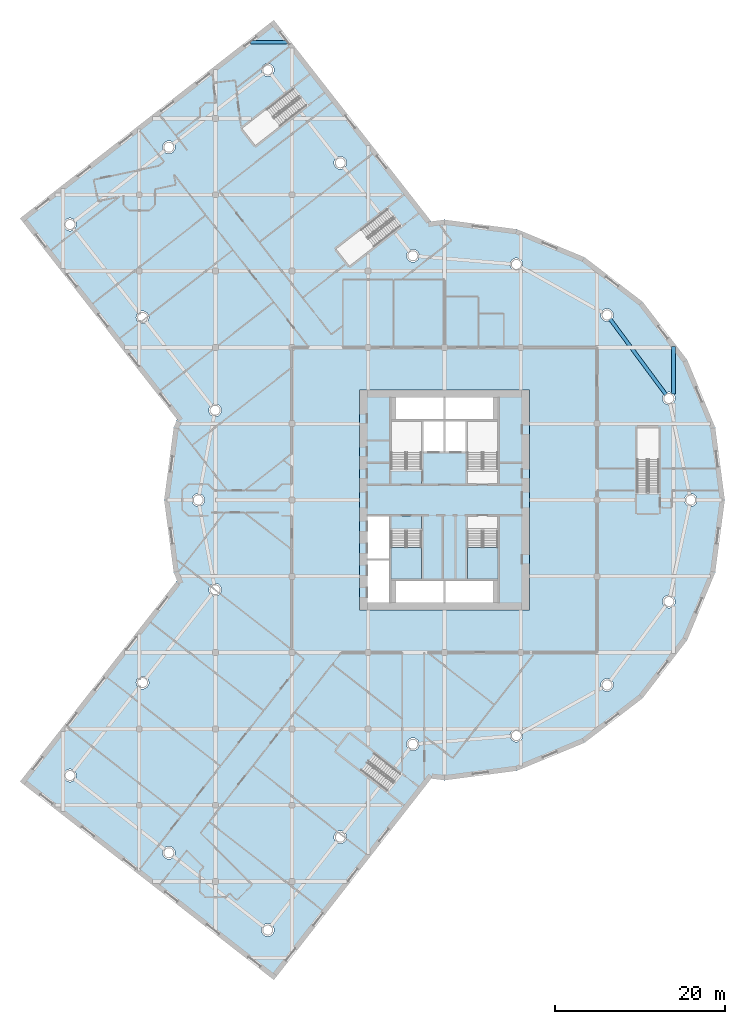
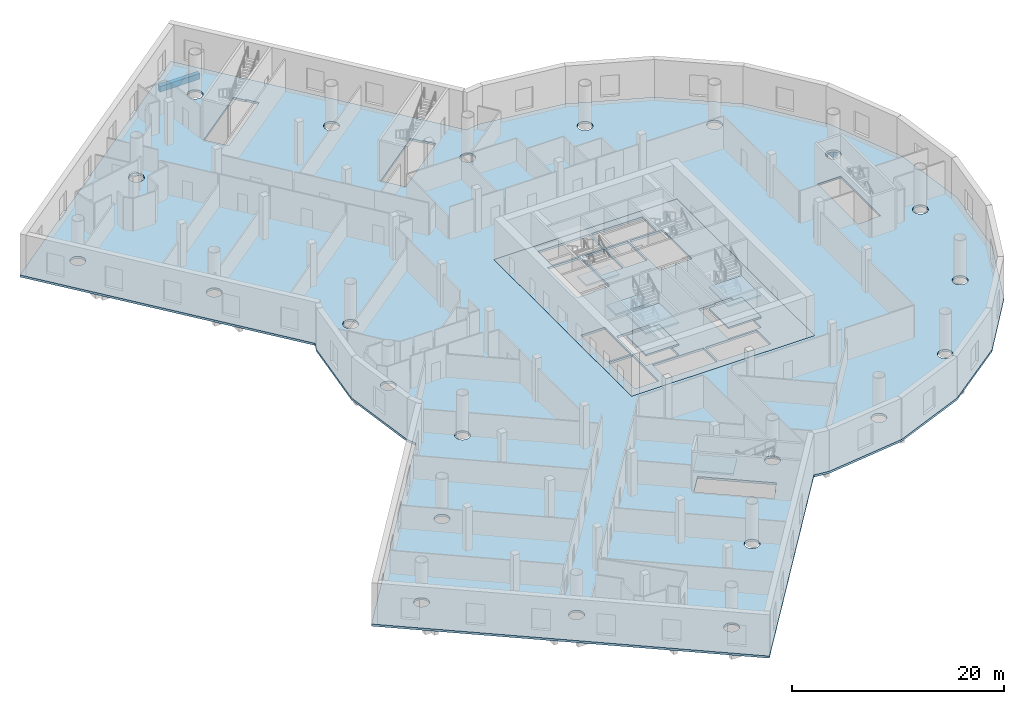
# One storey, part 3 of 22: 9 slabs, 3 beams, 4 elements without a shape of their own.
"""IFC4 building model written with IfcOpenShell, lengths in metres."""

from ifc_helpers import new_model, si_unit, direction, frame, origin, origin_2d, place, context, subcontext, project, spatial, polyline, rectangle, i_section, outline, extrude, material, layer, layer_set, material_profile, profile_set, type_object, element, aggregate, save


model = new_model("IFC4")

# Units and contexts
model_context = context("Model", 3, precision=1e-05, world=origin(), true_north=direction((0.0, 1.0)))
body_context = subcontext(model_context, "Body", "Model", "MODEL_VIEW")
ifc_project = project(units=[si_unit("LENGTHUNIT", "METRE"), si_unit("AREAUNIT", "SQUARE_METRE"), si_unit("VOLUMEUNIT", "CUBIC_METRE"), si_unit("PLANEANGLEUNIT", "RADIAN"), si_unit("MASSUNIT", "GRAM", prefix="KILO")], contexts=[model_context])

# Site, building, storey
site_placement = place(None, origin())
site = spatial("IfcSite", under=ifc_project, at=site_placement, CompositionType="ELEMENT")
building_placement = place(site_placement, origin())
building = spatial("IfcBuilding", under=site, at=building_placement, Name="Tarsis Ring Headquarters", CompositionType="ELEMENT")
storey_placement = place(building_placement, frame((0.0, 0.0, 25.0)))
storey = spatial("IfcBuildingStorey", under=building, at=storey_placement, Name="L04", CompositionType="ELEMENT", Elevation=25.0)

# Beams
ifc_material_1 = material(Name="Concrete C40/50", Category="concrete")
ifc_material_profile_1 = material_profile(ifc_material_1, rectangle(XDim=0.449951171875, YDim=0.64990234375, at=origin_2d()), Name="PO-B450")
ifc_profile_set_1 = profile_set([ifc_material_profile_1], Name="Concrete C40/50")
beam_type_1 = type_object("IfcBeamType", Name="PO-B450", PredefinedType="BEAM", material=ifc_profile_set_1)
beam_1_placement = place(storey_placement, frame((27.0, 12.4990234375, -0.574951171875), z_axis=(0.0, 1.0, 0.0), x_axis=(-1.0, 0.0, 0.0)))
element("IfcBeam", 1, at=beam_1_placement, inside=storey, type_object=beam_type_1, Name="L04 floor beam 58", PredefinedType="BEAM", context=body_context, shape_type="SweptSolid", body=[
    extrude(rectangle(XDim=0.449951171875, YDim=0.64990234375, at=origin_2d()), origin(), (0.0, 0.0, 1.0), 5.58203125),
])
beam_2_placement = place(storey_placement, frame((-22.89794921875, 54.0, -0.574951171875), z_axis=(1.0, 0.0, 0.0), x_axis=(0.0, 1.0, 0.0)))
element("IfcBeam", 2, at=beam_2_placement, inside=storey, type_object=beam_type_1, Name="L04 floor beam 111", PredefinedType="BEAM", context=body_context, shape_type="SweptSolid", body=[
    extrude(rectangle(XDim=0.449951171875, YDim=0.64990234375, at=origin_2d()), origin(), (0.0, 0.0, 1.0), 4.375732421875),
])
ifc_material_2 = material(Name="Structural steel S355", Category="steel")
ifc_material_profile_2 = material_profile(ifc_material_2, i_section(OverallWidth=0.42431640625, OverallDepth=0.947509765625, WebThickness=0.02392578125, FlangeThickness=0.042724609375, at=origin_2d()), Name="W36x302")
ifc_profile_set_2 = profile_set([ifc_material_profile_2], Name="Structural steel S355")
beam_type_2 = type_object("IfcBeamType", Name="XG Ring girder W36x302", PredefinedType="BEAM", material=ifc_profile_set_2)
beam_3_placement = place(storey_placement, frame((26.1396484375, 12.41455078125, -0.7236328125), z_axis=(-0.595024911632, 0.80370725674, 0.0), x_axis=(-0.80370725674, -0.595024911632, 0.0)))
element("IfcBeam", 3, at=beam_3_placement, inside=storey, type_object=beam_type_2, Name="Ring girder XG1", PredefinedType="BEAM", context=body_context, shape_type="SweptSolid", body=[
    extrude(i_section(OverallWidth=0.42431640625, OverallDepth=0.947509765625, WebThickness=0.02392578125, FlangeThickness=0.042724609375, at=origin_2d()), origin(), (0.0, 0.0, 1.0), 11.151611328125),
])

# Slab
ifc_layer_1 = layer(ifc_material_1, 0.25)
ifc_layer_set_1 = layer_set([ifc_layer_1], Name="Core floor slab 250 C40/50")
slab_type_1 = type_object("IfcSlabType", Name="Core floor slab 250 C40/50", PredefinedType="FLOOR", material=ifc_layer_set_1)
slab_1_placement = place(storey_placement, frame((0.0, 0.0, -0.25)))
element("IfcSlab", 4, at=slab_1_placement, inside=storey, type_object=slab_type_1, Name="L04 core floor slab", PredefinedType="FLOOR", context=body_context, shape_type="SweptSolid", body=[
    extrude(outline(polyline([(-10.0, -13.0), (10.0, -13.0), (10.0, 13.0), (-10.0, 13.0), (-10.0, -13.0)]), holes=[polyline([(-2.5, 5.699951171875), (-0.10009765625, 5.699951171875), (-0.10009765625, 9.300048828125), (-2.5, 9.300048828125), (-2.5, 5.699951171875)]), polyline([(0.10009765625, 5.699951171875), (2.5, 5.699951171875), (2.5, 9.300048828125), (0.10009765625, 9.300048828125), (0.10009765625, 5.699951171875)]), polyline([(-9.10009765625, -12.10009765625), (-6.5, -12.10009765625), (-6.5, -7.10009765625), (-9.10009765625, -7.10009765625), (-9.10009765625, -12.10009765625)]), polyline([(-9.10009765625, -6.89990234375), (-6.5, -6.89990234375), (-6.5, -1.89990234375), (-9.10009765625, -1.89990234375), (-9.10009765625, -6.89990234375)]), polyline([(-5.699951171875, 9.5), (-0.10009765625, 9.5), (-0.10009765625, 12.10009765625), (-5.699951171875, 12.10009765625), (-5.699951171875, 9.5)]), polyline([(0.10009765625, 9.5), (5.699951171875, 9.5), (5.699951171875, 12.10009765625), (0.10009765625, 12.10009765625), (0.10009765625, 9.5)]), polyline([(-5.699951171875, -12.10009765625), (-0.10009765625, -12.10009765625), (-0.10009765625, -9.5), (-5.699951171875, -9.5), (-5.699951171875, -12.10009765625)]), polyline([(0.10009765625, -12.10009765625), (5.699951171875, -12.10009765625), (5.699951171875, -9.5), (0.10009765625, -9.5), (0.10009765625, -12.10009765625)]), polyline([(-2.699951171875, 3.760009765625), (-2.699951171875, 9.300048828125), (-6.300048828125, 9.300048828125), (-6.300048828125, 3.659912109375), (-4.4599609375, 3.659912109375), (-4.4599609375, 3.760009765625), (-2.699951171875, 3.760009765625)]), polyline([(6.300048828125, 3.760009765625), (6.300048828125, 9.300048828125), (2.699951171875, 9.300048828125), (2.699951171875, 3.659912109375), (4.5400390625, 3.659912109375), (4.5400390625, 3.760009765625), (6.300048828125, 3.760009765625)]), polyline([(-6.300048828125, -3.760009765625), (-6.300048828125, -9.300048828125), (-2.699951171875, -9.300048828125), (-2.699951171875, -3.659912109375), (-4.5400390625, -3.659912109375), (-4.5400390625, -3.760009765625), (-6.300048828125, -3.760009765625)]), polyline([(2.699951171875, -3.760009765625), (2.699951171875, -9.300048828125), (6.300048828125, -9.300048828125), (6.300048828125, -3.659912109375), (4.4599609375, -3.659912109375), (4.4599609375, -3.760009765625), (2.699951171875, -3.760009765625)])]), origin(), (0.0, 0.0, 1.0), 0.25),
])

# Stair, slab
ifc_material_3 = material(Name="Core stair 1760")
stair_type_1 = type_object("IfcStairType", Name="Core stair 1760", PredefinedType="HALF_TURN_STAIR", material=ifc_material_3)
stair_1_placement = place(storey_placement, origin())
stair_1 = element("IfcStair", 5, at=stair_1_placement, inside=storey, type_object=stair_type_1, Name="L04 Firefighting stair", PredefinedType="HALF_TURN_STAIR")
ifc_layer_2 = layer(ifc_material_1, 0.199951171875)
ifc_layer_set_2 = layer_set([ifc_layer_2], Name="Core stair landing 200")
slab_type_2 = type_object("IfcSlabType", Name="Core stair landing 200", PredefinedType="LANDING", material=ifc_layer_set_2)
slab_2_placement = place(storey_placement, frame((0.0, 0.0, 2.300048828125)))
slab_2 = element("IfcSlab", 6, at=slab_2_placement, type_object=slab_type_2, Name="Stair ST1 landing 2", PredefinedType="LANDING", context=body_context, shape_type="SweptSolid", body=[
    extrude(outline(polyline([(-2.699951171875, 1.89990234375), (-2.699951171875, 3.659912109375), (-6.300048828125, 3.659912109375), (-6.300048828125, 1.89990234375), (-2.699951171875, 1.89990234375)])), origin(), (0.0, 0.0, 1.0), 0.199951171875),
])
aggregate(stair_1, [slab_2])

# Stair, slabs
stair_2_placement = place(storey_placement, origin())
stair_2 = element("IfcStair", 7, at=stair_2_placement, inside=storey, type_object=stair_type_1, Name="L04 Exit stair C", PredefinedType="HALF_TURN_STAIR")
slab_3_placement = place(storey_placement, frame((0.0, 0.0, 1.050048828125)))
slab_3 = element("IfcSlab", 8, at=slab_3_placement, type_object=slab_type_2, Name="Stair ST3 landing 1", PredefinedType="LANDING", context=body_context, shape_type="SweptSolid", body=[
    extrude(outline(polyline([(-6.300048828125, -5.6201171875), (-6.300048828125, -9.300048828125), (-2.699951171875, -9.300048828125), (-2.699951171875, -5.6201171875), (-6.300048828125, -5.6201171875)])), origin(), (0.0, 0.0, 1.0), 0.199951171875),
])
slab_4_placement = place(storey_placement, frame((0.0, 0.0, 2.300048828125)))
slab_4 = element("IfcSlab", 9, at=slab_4_placement, type_object=slab_type_2, Name="Stair ST3 landing 2", PredefinedType="LANDING", context=body_context, shape_type="SweptSolid", body=[
    extrude(outline(polyline([(-6.300048828125, -1.89990234375), (-6.300048828125, -3.659912109375), (-2.699951171875, -3.659912109375), (-2.699951171875, -1.89990234375), (-6.300048828125, -1.89990234375)])), origin(), (0.0, 0.0, 1.0), 0.199951171875),
])
slab_5_placement = place(storey_placement, frame((0.0, 0.0, 3.550048828125)))
slab_5 = element("IfcSlab", 10, at=slab_5_placement, type_object=slab_type_2, Name="Stair ST3 landing 3", PredefinedType="LANDING", context=body_context, shape_type="SweptSolid", body=[
    extrude(outline(polyline([(-6.300048828125, -5.6201171875), (-6.300048828125, -9.300048828125), (-2.699951171875, -9.300048828125), (-2.699951171875, -5.6201171875), (-6.300048828125, -5.6201171875)])), origin(), (0.0, 0.0, 1.0), 0.199951171875),
])
aggregate(stair_2, [slab_3, slab_4, slab_5])

stair_3_placement = place(storey_placement, origin())
stair_3 = element("IfcStair", 11, at=stair_3_placement, inside=storey, type_object=stair_type_1, Name="L04 Exit stair D", PredefinedType="HALF_TURN_STAIR")
slab_6_placement = place(storey_placement, frame((0.0, 0.0, 1.050048828125)))
slab_6 = element("IfcSlab", 12, at=slab_6_placement, type_object=slab_type_2, Name="Stair ST4 landing 1", PredefinedType="LANDING", context=body_context, shape_type="SweptSolid", body=[
    extrude(outline(polyline([(2.699951171875, -5.6201171875), (2.699951171875, -9.300048828125), (6.300048828125, -9.300048828125), (6.300048828125, -5.6201171875), (2.699951171875, -5.6201171875)])), origin(), (0.0, 0.0, 1.0), 0.199951171875),
])
slab_7_placement = place(storey_placement, frame((0.0, 0.0, 3.550048828125)))
slab_7 = element("IfcSlab", 13, at=slab_7_placement, type_object=slab_type_2, Name="Stair ST4 landing 3", PredefinedType="LANDING", context=body_context, shape_type="SweptSolid", body=[
    extrude(outline(polyline([(2.699951171875, -5.6201171875), (2.699951171875, -9.300048828125), (6.300048828125, -9.300048828125), (6.300048828125, -5.6201171875), (2.699951171875, -5.6201171875)])), origin(), (0.0, 0.0, 1.0), 0.199951171875),
])
aggregate(stair_3, [slab_6, slab_7])

# Slab
ifc_layer_3 = layer(ifc_material_1, 0.25)
ifc_layer_set_3 = layer_set([ifc_layer_3], Name="PO-S250")
slab_type_3 = type_object("IfcSlabType", Name="PO-S250", PredefinedType="FLOOR", material=ifc_layer_set_3)
slab_8_placement = place(storey_placement, frame((0.0, 0.0, -0.25)))
element("IfcSlab", 14, at=slab_8_placement, inside=storey, type_object=slab_type_3, Name="L04 podium floor slab", PredefinedType="FLOOR", context=body_context, shape_type="SweptSolid", body=[
    extrude(outline(polyline([(-50.06494140625, 33.218994140625), (-31.539794921875, 9.508056640625), (-31.933837890625, 8.556640625), (-33.060302734375, 0.0), (-31.933837890625, -8.556640625), (-31.539794921875, -9.508056640625), (-50.06494140625, -33.218994140625), (-20.12060546875, -56.6142578125), (-1.55810546875, -32.855224609375), (0.0, -33.060302734375), (8.556640625, -31.933837890625), (16.5302734375, -28.631103515625), (23.377197265625, -23.377197265625), (28.631103515625, -16.5302734375), (31.933837890625, -8.556640625), (33.060302734375, 0.0), (31.933837890625, 8.556640625), (28.631103515625, 16.5302734375), (23.377197265625, 23.377197265625), (16.5302734375, 28.631103515625), (8.556640625, 31.933837890625), (0.0, 33.060302734375), (-1.55810546875, 32.855224609375), (-20.12060546875, 56.6142578125), (-50.06494140625, 33.218994140625)]), holes=[polyline([(-20.844482421875, -51.46875), (-21.03857421875, -51.443115234375), (-21.219482421875, -51.3681640625), (-21.374755859375, -51.2490234375), (-21.493896484375, -51.09375), (-21.56884765625, -50.912841796875), (-21.594482421875, -50.71875), (-21.56884765625, -50.524658203125), (-21.493896484375, -50.34375), (-21.374755859375, -50.1884765625), (-21.219482421875, -50.0693359375), (-21.03857421875, -49.994384765625), (-20.844482421875, -49.96875), (-20.650146484375, -49.994384765625), (-20.469482421875, -50.0693359375), (-20.31396484375, -50.1884765625), (-20.19482421875, -50.34375), (-20.119873046875, -50.524658203125), (-20.094482421875, -50.71875), (-20.119873046875, -50.912841796875), (-20.19482421875, -51.09375), (-20.31396484375, -51.2490234375), (-20.469482421875, -51.3681640625), (-20.650146484375, -51.443115234375), (-20.844482421875, -51.46875)]), polyline([(-32.700927734375, -42.331298828125), (-32.8818359375, -42.256591796875), (-33.037353515625, -42.13720703125), (-33.156494140625, -41.98193359375), (-33.2314453125, -41.801025390625), (-33.2568359375, -41.60693359375), (-33.2314453125, -41.412841796875), (-33.156494140625, -41.23193359375), (-33.037353515625, -41.07666015625), (-32.8818359375, -40.95751953125), (-32.700927734375, -40.882568359375), (-32.5068359375, -40.85693359375), (-32.312744140625, -40.882568359375), (-32.1318359375, -40.95751953125), (-31.9765625, -41.07666015625), (-31.857421875, -41.23193359375), (-31.782470703125, -41.412841796875), (-31.7568359375, -41.60693359375), (-31.782470703125, -41.801025390625), (-31.857421875, -41.98193359375), (-31.9765625, -42.13720703125), (-32.1318359375, -42.256591796875), (-32.312744140625, -42.331298828125), (-32.5068359375, -42.35693359375), (-32.700927734375, -42.331298828125)]), polyline([(-12.4794921875, -40.488037109375), (-12.660400390625, -40.4130859375), (-12.815673828125, -40.2939453125), (-12.934814453125, -40.138671875), (-13.009765625, -39.957763671875), (-13.035400390625, -39.763671875), (-13.009765625, -39.569580078125), (-12.934814453125, -39.388671875), (-12.815673828125, -39.2333984375), (-12.660400390625, -39.114013671875), (-12.4794921875, -39.039306640625), (-12.285400390625, -39.013671875), (-12.091064453125, -39.039306640625), (-11.910400390625, -39.114013671875), (-11.7548828125, -39.2333984375), (-11.6357421875, -39.388671875), (-11.560791015625, -39.569580078125), (-11.535400390625, -39.763671875), (-11.560791015625, -39.957763671875), (-11.6357421875, -40.138671875), (-11.7548828125, -40.2939453125), (-11.910400390625, -40.4130859375), (-12.091064453125, -40.488037109375), (-12.285400390625, -40.513671875), (-12.4794921875, -40.488037109375)]), polyline([(-44.16943359375, -33.2451171875), (-44.363525390625, -33.2197265625), (-44.54443359375, -33.144775390625), (-44.69970703125, -33.025390625), (-44.819091796875, -32.8701171875), (-44.89404296875, -32.689208984375), (-44.91943359375, -32.4951171875), (-44.89404296875, -32.301025390625), (-44.819091796875, -32.1201171875), (-44.69970703125, -31.96484375), (-44.54443359375, -31.845703125), (-44.363525390625, -31.770751953125), (-44.16943359375, -31.7451171875), (-43.975341796875, -31.770751953125), (-43.79443359375, -31.845703125), (-43.63916015625, -31.96484375), (-43.52001953125, -32.1201171875), (-43.445068359375, -32.301025390625), (-43.41943359375, -32.4951171875), (-43.445068359375, -32.689208984375), (-43.52001953125, -32.8701171875), (-43.63916015625, -33.025390625), (-43.79443359375, -33.144775390625), (-43.975341796875, -33.2197265625), (-44.16943359375, -33.2451171875)]), polyline([(-35.804443359375, -22.264404296875), (-35.9853515625, -22.189697265625), (-36.140625, -22.0703125), (-36.260009765625, -21.9150390625), (-36.3349609375, -21.734130859375), (-36.3603515625, -21.5400390625), (-36.3349609375, -21.345947265625), (-36.260009765625, -21.1650390625), (-36.140625, -21.009765625), (-35.9853515625, -20.890625), (-35.804443359375, -20.815673828125), (-35.6103515625, -20.7900390625), (-35.416259765625, -20.815673828125), (-35.2353515625, -20.890625), (-35.080078125, -21.009765625), (-34.9609375, -21.1650390625), (-34.885986328125, -21.345947265625), (-34.8603515625, -21.5400390625), (-34.885986328125, -21.734130859375), (-34.9609375, -21.9150390625), (-35.080078125, -22.0703125), (-35.2353515625, -22.189697265625), (-35.416259765625, -22.264404296875), (-35.6103515625, -22.2900390625), (-35.804443359375, -22.264404296875)]), polyline([(-27.245361328125, -11.309326171875), (-27.42626953125, -11.234375), (-27.581787109375, -11.115234375), (-27.700927734375, -10.9599609375), (-27.77587890625, -10.779052734375), (-27.80126953125, -10.5849609375), (-27.77587890625, -10.390869140625), (-27.700927734375, -10.2099609375), (-27.581787109375, -10.0546875), (-27.42626953125, -9.935546875), (-27.245361328125, -9.860595703125), (-27.05126953125, -9.8349609375), (-26.857177734375, -9.860595703125), (-26.67626953125, -9.935546875), (-26.52099609375, -10.0546875), (-26.40185546875, -10.2099609375), (-26.326904296875, -10.390869140625), (-26.30126953125, -10.5849609375), (-26.326904296875, -10.779052734375), (-26.40185546875, -10.9599609375), (-26.52099609375, -11.115234375), (-26.67626953125, -11.234375), (-26.857177734375, -11.309326171875), (-27.05126953125, -11.3349609375), (-27.245361328125, -11.309326171875)]), polyline([(-29.048583984375, -0.75), (-29.24267578125, -0.724365234375), (-29.423583984375, -0.6494140625), (-29.578857421875, -0.5302734375), (-29.697998046875, -0.375), (-29.77294921875, -0.194091796875), (-29.798583984375, 0.0), (-29.77294921875, 0.194091796875), (-29.697998046875, 0.375), (-29.578857421875, 0.5302734375), (-29.423583984375, 0.6494140625), (-29.24267578125, 0.724365234375), (-29.048583984375, 0.75), (-28.8544921875, 0.724365234375), (-28.673583984375, 0.6494140625), (-28.51806640625, 0.5302734375), (-28.39892578125, 0.375), (-28.323974609375, 0.194091796875), (-28.298583984375, 0.0), (-28.323974609375, -0.194091796875), (-28.39892578125, -0.375), (-28.51806640625, -0.5302734375), (-28.673583984375, -0.6494140625), (-28.8544921875, -0.724365234375), (-29.048583984375, -0.75)]), polyline([(-27.245361328125, 9.860595703125), (-27.42626953125, 9.935546875), (-27.581787109375, 10.0546875), (-27.700927734375, 10.2099609375), (-27.77587890625, 10.390869140625), (-27.80126953125, 10.5849609375), (-27.77587890625, 10.779052734375), (-27.700927734375, 10.9599609375), (-27.581787109375, 11.115234375), (-27.42626953125, 11.234375), (-27.245361328125, 11.309326171875), (-27.05126953125, 11.3349609375), (-26.857177734375, 11.309326171875), (-26.67626953125, 11.234375), (-26.52099609375, 11.115234375), (-26.40185546875, 10.9599609375), (-26.326904296875, 10.779052734375), (-26.30126953125, 10.5849609375), (-26.326904296875, 10.390869140625), (-26.40185546875, 10.2099609375), (-26.52099609375, 10.0546875), (-26.67626953125, 9.935546875), (-26.857177734375, 9.860595703125), (-27.05126953125, 9.8349609375), (-27.245361328125, 9.860595703125)]), polyline([(-35.804443359375, 20.815673828125), (-35.9853515625, 20.890625), (-36.140625, 21.009765625), (-36.260009765625, 21.1650390625), (-36.3349609375, 21.345947265625), (-36.3603515625, 21.5400390625), (-36.3349609375, 21.734130859375), (-36.260009765625, 21.9150390625), (-36.140625, 22.0703125), (-35.9853515625, 22.189697265625), (-35.804443359375, 22.264404296875), (-35.6103515625, 22.2900390625), (-35.416259765625, 22.264404296875), (-35.2353515625, 22.189697265625), (-35.080078125, 22.0703125), (-34.9609375, 21.9150390625), (-34.885986328125, 21.734130859375), (-34.8603515625, 21.5400390625), (-34.885986328125, 21.345947265625), (-34.9609375, 21.1650390625), (-35.080078125, 21.009765625), (-35.2353515625, 20.890625), (-35.416259765625, 20.815673828125), (-35.6103515625, 20.7900390625), (-35.804443359375, 20.815673828125)]), polyline([(-44.363525390625, 31.770751953125), (-44.54443359375, 31.845703125), (-44.69970703125, 31.96484375), (-44.819091796875, 32.1201171875), (-44.89404296875, 32.301025390625), (-44.91943359375, 32.4951171875), (-44.89404296875, 32.689208984375), (-44.819091796875, 32.8701171875), (-44.69970703125, 33.025390625), (-44.54443359375, 33.144775390625), (-44.363525390625, 33.2197265625), (-44.16943359375, 33.2451171875), (-43.975341796875, 33.2197265625), (-43.79443359375, 33.144775390625), (-43.63916015625, 33.025390625), (-43.52001953125, 32.8701171875), (-43.445068359375, 32.689208984375), (-43.41943359375, 32.4951171875), (-43.445068359375, 32.301025390625), (-43.52001953125, 32.1201171875), (-43.63916015625, 31.96484375), (-43.79443359375, 31.845703125), (-43.975341796875, 31.770751953125), (-44.16943359375, 31.7451171875), (-44.363525390625, 31.770751953125)]), polyline([(-32.700927734375, 40.882568359375), (-32.8818359375, 40.95751953125), (-33.037353515625, 41.07666015625), (-33.156494140625, 41.23193359375), (-33.2314453125, 41.412841796875), (-33.2568359375, 41.60693359375), (-33.2314453125, 41.801025390625), (-33.156494140625, 41.98193359375), (-33.037353515625, 42.13720703125), (-32.8818359375, 42.256591796875), (-32.700927734375, 42.331298828125), (-32.5068359375, 42.35693359375), (-32.312744140625, 42.331298828125), (-32.1318359375, 42.256591796875), (-31.9765625, 42.13720703125), (-31.857421875, 41.98193359375), (-31.782470703125, 41.801025390625), (-31.7568359375, 41.60693359375), (-31.782470703125, 41.412841796875), (-31.857421875, 41.23193359375), (-31.9765625, 41.07666015625), (-32.1318359375, 40.95751953125), (-32.312744140625, 40.882568359375), (-32.5068359375, 40.85693359375), (-32.700927734375, 40.882568359375)]), polyline([(-17.197509765625, 47.5185546875), (-17.11865234375, 47.580078125), (-16.287841796875, 46.515869140625), (-22.310302734375, 41.81494140625), (-23.87939453125, 43.824951171875), (-17.935791015625, 48.464599609375), (-17.197509765625, 47.5185546875)]), polyline([(-21.03857421875, 49.994384765625), (-21.219482421875, 50.0693359375), (-21.374755859375, 50.1884765625), (-21.493896484375, 50.34375), (-21.56884765625, 50.524658203125), (-21.594482421875, 50.71875), (-21.56884765625, 50.912841796875), (-21.493896484375, 51.09375), (-21.374755859375, 51.2490234375), (-21.219482421875, 51.3681640625), (-21.03857421875, 51.443115234375), (-20.844482421875, 51.46875), (-20.650146484375, 51.443115234375), (-20.469482421875, 51.3681640625), (-20.31396484375, 51.2490234375), (-20.19482421875, 51.09375), (-20.119873046875, 50.912841796875), (-20.094482421875, 50.71875), (-20.119873046875, 50.524658203125), (-20.19482421875, 50.34375), (-20.31396484375, 50.1884765625), (-20.469482421875, 50.0693359375), (-20.650146484375, 49.994384765625), (-20.844482421875, 49.96875), (-21.03857421875, 49.994384765625)]), polyline([(-5.266845703125, -32.234375), (-6.005126953125, -33.180419921875), (-5.92626953125, -33.241943359375), (-6.757080078125, -34.305908203125), (-12.779541015625, -29.60498046875), (-11.21044921875, -27.594970703125), (-5.266845703125, -32.234375)]), polyline([(-3.92041015625, -29.532958984375), (-4.101318359375, -29.4580078125), (-4.256591796875, -29.3388671875), (-4.375732421875, -29.18359375), (-4.45068359375, -29.002685546875), (-4.476318359375, -28.80859375), (-4.45068359375, -28.614501953125), (-4.375732421875, -28.43359375), (-4.256591796875, -28.2783203125), (-4.101318359375, -28.158935546875), (-3.92041015625, -28.083984375), (-3.726318359375, -28.05859375), (-3.5322265625, -28.083984375), (-3.351318359375, -28.158935546875), (-3.19580078125, -28.2783203125), (-3.07666015625, -28.43359375), (-3.001708984375, -28.614501953125), (-2.976318359375, -28.80859375), (-3.001708984375, -29.002685546875), (-3.07666015625, -29.18359375), (-3.19580078125, -29.3388671875), (-3.351318359375, -29.4580078125), (-3.5322265625, -29.532958984375), (-3.726318359375, -29.55859375), (-3.92041015625, -29.532958984375)]), polyline([(8.28564453125, -28.5078125), (8.104736328125, -28.432861328125), (7.94921875, -28.313720703125), (7.830078125, -28.158203125), (7.755126953125, -27.977294921875), (7.729736328125, -27.783203125), (7.755126953125, -27.589111328125), (7.830078125, -27.408203125), (7.94921875, -27.2529296875), (8.104736328125, -27.1337890625), (8.28564453125, -27.058837890625), (8.479736328125, -27.033203125), (8.673828125, -27.058837890625), (8.854736328125, -27.1337890625), (9.010009765625, -27.2529296875), (9.129150390625, -27.408203125), (9.2041015625, -27.589111328125), (9.229736328125, -27.783203125), (9.2041015625, -27.977294921875), (9.129150390625, -28.158203125), (9.010009765625, -28.313720703125), (8.854736328125, -28.432861328125), (8.673828125, -28.5078125), (8.479736328125, -28.533203125), (8.28564453125, -28.5078125)]), polyline([(19.177734375, -22.568115234375), (18.983642578125, -22.54248046875), (18.802734375, -22.467529296875), (18.6474609375, -22.348388671875), (18.5283203125, -22.193115234375), (18.453369140625, -22.01220703125), (18.427734375, -21.818115234375), (18.453369140625, -21.6240234375), (18.5283203125, -21.443115234375), (18.6474609375, -21.287841796875), (18.802734375, -21.16845703125), (18.983642578125, -21.09375), (19.177734375, -21.068115234375), (19.371826171875, -21.09375), (19.552734375, -21.16845703125), (19.7080078125, -21.287841796875), (19.827392578125, -21.443115234375), (19.90234375, -21.6240234375), (19.927734375, -21.818115234375), (19.90234375, -22.01220703125), (19.827392578125, -22.193115234375), (19.7080078125, -22.348388671875), (19.552734375, -22.467529296875), (19.371826171875, -22.54248046875), (19.177734375, -22.568115234375)]), polyline([(26.27197265625, -12.697998046875), (26.091064453125, -12.623046875), (25.935791015625, -12.50390625), (25.81640625, -12.3486328125), (25.74169921875, -12.167724609375), (25.716064453125, -11.9736328125), (25.74169921875, -11.779296875), (25.81640625, -11.5986328125), (25.935791015625, -11.443115234375), (26.091064453125, -11.323974609375), (26.27197265625, -11.2490234375), (26.466064453125, -11.2236328125), (26.66015625, -11.2490234375), (26.841064453125, -11.323974609375), (26.996337890625, -11.443115234375), (27.115478515625, -11.5986328125), (27.1904296875, -11.779296875), (27.216064453125, -11.9736328125), (27.1904296875, -12.167724609375), (27.115478515625, -12.3486328125), (26.996337890625, -12.50390625), (26.841064453125, -12.623046875), (26.66015625, -12.697998046875), (26.466064453125, -12.7236328125), (26.27197265625, -12.697998046875)]), polyline([(28.8544921875, -0.724365234375), (28.673583984375, -0.6494140625), (28.51806640625, -0.5302734375), (28.39892578125, -0.375), (28.323974609375, -0.194091796875), (28.298583984375, 0.0), (28.323974609375, 0.194091796875), (28.39892578125, 0.375), (28.51806640625, 0.5302734375), (28.673583984375, 0.6494140625), (28.8544921875, 0.724365234375), (29.048583984375, 0.75), (29.24267578125, 0.724365234375), (29.423583984375, 0.6494140625), (29.578857421875, 0.5302734375), (29.697998046875, 0.375), (29.77294921875, 0.194091796875), (29.798583984375, 0.0), (29.77294921875, -0.194091796875), (29.697998046875, -0.375), (29.578857421875, -0.5302734375), (29.423583984375, -0.6494140625), (29.24267578125, -0.724365234375), (29.048583984375, -0.75), (28.8544921875, -0.724365234375)]), polyline([(25.27490234375, 0.97998046875), (24.074951171875, 0.97998046875), (24.074951171875, 0.8798828125), (22.72509765625, 0.8798828125), (22.72509765625, 8.52001953125), (25.27490234375, 8.52001953125), (25.27490234375, 0.97998046875)]), polyline([(26.27197265625, 11.2490234375), (26.091064453125, 11.323974609375), (25.935791015625, 11.443115234375), (25.81640625, 11.5986328125), (25.74169921875, 11.779296875), (25.716064453125, 11.9736328125), (25.74169921875, 12.167724609375), (25.81640625, 12.3486328125), (25.935791015625, 12.50390625), (26.091064453125, 12.623046875), (26.27197265625, 12.697998046875), (26.466064453125, 12.7236328125), (26.66015625, 12.697998046875), (26.841064453125, 12.623046875), (26.996337890625, 12.50390625), (27.115478515625, 12.3486328125), (27.1904296875, 12.167724609375), (27.216064453125, 11.9736328125), (27.1904296875, 11.779296875), (27.115478515625, 11.5986328125), (26.996337890625, 11.443115234375), (26.841064453125, 11.323974609375), (26.66015625, 11.2490234375), (26.466064453125, 11.2236328125), (26.27197265625, 11.2490234375)]), polyline([(18.983642578125, 21.09375), (18.802734375, 21.16845703125), (18.6474609375, 21.287841796875), (18.5283203125, 21.443115234375), (18.453369140625, 21.6240234375), (18.427734375, 21.818115234375), (18.453369140625, 22.01220703125), (18.5283203125, 22.193115234375), (18.6474609375, 22.348388671875), (18.802734375, 22.467529296875), (18.983642578125, 22.54248046875), (19.177734375, 22.568115234375), (19.371826171875, 22.54248046875), (19.552734375, 22.467529296875), (19.7080078125, 22.348388671875), (19.827392578125, 22.193115234375), (19.90234375, 22.01220703125), (19.927734375, 21.818115234375), (19.90234375, 21.6240234375), (19.827392578125, 21.443115234375), (19.7080078125, 21.287841796875), (19.552734375, 21.16845703125), (19.371826171875, 21.09375), (19.177734375, 21.068115234375), (18.983642578125, 21.09375)]), polyline([(8.28564453125, 27.058837890625), (8.104736328125, 27.1337890625), (7.94921875, 27.2529296875), (7.830078125, 27.408203125), (7.755126953125, 27.589111328125), (7.729736328125, 27.783203125), (7.755126953125, 27.977294921875), (7.830078125, 28.158203125), (7.94921875, 28.313720703125), (8.104736328125, 28.432861328125), (8.28564453125, 28.5078125), (8.479736328125, 28.533203125), (8.673828125, 28.5078125), (8.854736328125, 28.432861328125), (9.010009765625, 28.313720703125), (9.129150390625, 28.158203125), (9.2041015625, 27.977294921875), (9.229736328125, 27.783203125), (9.2041015625, 27.589111328125), (9.129150390625, 27.408203125), (9.010009765625, 27.2529296875), (8.854736328125, 27.1337890625), (8.673828125, 27.058837890625), (8.479736328125, 27.033203125), (8.28564453125, 27.058837890625)]), polyline([(-3.92041015625, 28.083984375), (-4.101318359375, 28.158935546875), (-4.256591796875, 28.2783203125), (-4.375732421875, 28.43359375), (-4.45068359375, 28.614501953125), (-4.476318359375, 28.80859375), (-4.45068359375, 29.002685546875), (-4.375732421875, 29.18359375), (-4.256591796875, 29.3388671875), (-4.101318359375, 29.4580078125), (-3.92041015625, 29.532958984375), (-3.726318359375, 29.55859375), (-3.5322265625, 29.532958984375), (-3.351318359375, 29.4580078125), (-3.19580078125, 29.3388671875), (-3.07666015625, 29.18359375), (-3.001708984375, 29.002685546875), (-2.976318359375, 28.80859375), (-3.001708984375, 28.614501953125), (-3.07666015625, 28.43359375), (-3.19580078125, 28.2783203125), (-3.351318359375, 28.158935546875), (-3.5322265625, 28.083984375), (-3.726318359375, 28.05859375), (-3.92041015625, 28.083984375)]), polyline([(-6.097412109375, 33.298583984375), (-6.0185546875, 33.360107421875), (-5.18798828125, 32.2958984375), (-11.21044921875, 27.594970703125), (-12.779541015625, 29.60498046875), (-6.8359375, 34.244384765625), (-6.097412109375, 33.298583984375)]), polyline([(-12.4794921875, 39.039306640625), (-12.660400390625, 39.114013671875), (-12.815673828125, 39.2333984375), (-12.934814453125, 39.388671875), (-13.009765625, 39.569580078125), (-13.035400390625, 39.763671875), (-13.009765625, 39.957763671875), (-12.934814453125, 40.138671875), (-12.815673828125, 40.2939453125), (-12.660400390625, 40.4130859375), (-12.4794921875, 40.488037109375), (-12.285400390625, 40.513671875), (-12.091064453125, 40.488037109375), (-11.910400390625, 40.4130859375), (-11.7548828125, 40.2939453125), (-11.6357421875, 40.138671875), (-11.560791015625, 39.957763671875), (-11.535400390625, 39.763671875), (-11.560791015625, 39.569580078125), (-11.6357421875, 39.388671875), (-11.7548828125, 39.2333984375), (-11.910400390625, 39.114013671875), (-12.091064453125, 39.039306640625), (-12.285400390625, 39.013671875), (-12.4794921875, 39.039306640625)]), polyline([(10.0, -13.0), (10.0, 13.0), (-10.0, 13.0), (-10.0, -13.0), (10.0, -13.0)])]), origin(), (0.0, 0.0, 1.0), 0.25),
])

# Stair, slab
stair_type_2 = type_object("IfcStairType", Name="PO-ST", PredefinedType="HALF_TURN_STAIR", material=ifc_material_1)
stair_4_placement = place(storey_placement, origin())
stair_4 = element("IfcStair", 15, at=stair_4_placement, inside=storey, type_object=stair_type_2, Name="L04 Podium stair", PredefinedType="HALF_TURN_STAIR")
ifc_layer_4 = layer(ifc_material_1, 0.199951171875)
ifc_layer_set_4 = layer_set([ifc_layer_4], Name="PO-STL")
slab_type_4 = type_object("IfcSlabType", Name="PO-STL", PredefinedType="LANDING", material=ifc_layer_set_4)
slab_9_placement = place(storey_placement, frame((0.0, 0.0, 2.300048828125)))
slab_9 = element("IfcSlab", 16, at=slab_9_placement, type_object=slab_type_4, Name="Stair PS2 landing 1", PredefinedType="LANDING", context=body_context, shape_type="SweptSolid", body=[
    extrude(outline(polyline([(-8.19384765625, -29.87353515625), (-11.220703125, -27.5107421875), (-12.86376953125, -29.615234375), (-9.836669921875, -31.978271484375), (-8.19384765625, -29.87353515625)])), origin(), (0.0, 0.0, 1.0), 0.199951171875),
])
aggregate(stair_4, [slab_9])

save(model, "model.ifc")
